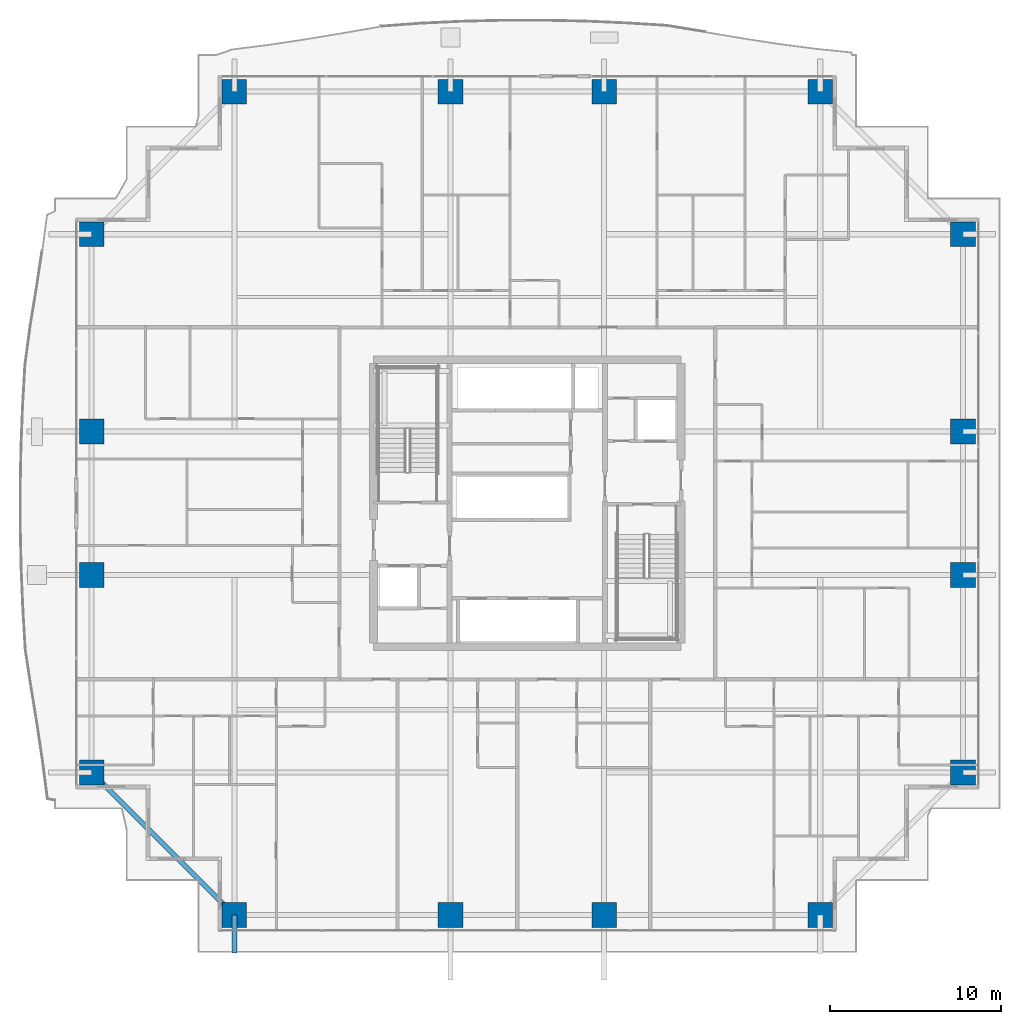
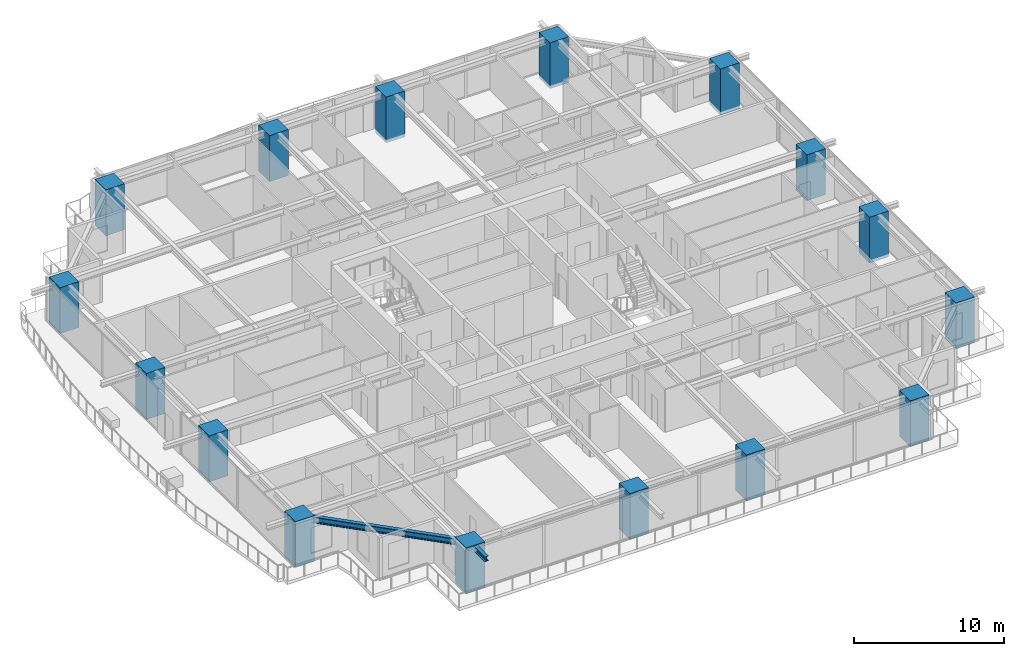
# One storey, part 1 of 35: 16 columns, 2 beams.
"""IFC4 building model written with IfcOpenShell, lengths in metres."""

from ifc_helpers import new_model, si_unit, direction, frame, origin, origin_2d, place, context, subcontext, project, spatial, rectangle, i_section, extrude, source, transform, mapped, material, material_profile, profile_set, type_object, element, save


model = new_model("IFC4")

# Units and contexts
model_context = context("Model", 3, precision=1e-05, world=origin(), true_north=direction((0.0, 1.0)))
body_context = subcontext(model_context, "Body", "Model", "MODEL_VIEW")
ifc_project = project(units=[si_unit("LENGTHUNIT", "METRE"), si_unit("AREAUNIT", "SQUARE_METRE"), si_unit("VOLUMEUNIT", "CUBIC_METRE"), si_unit("PLANEANGLEUNIT", "RADIAN"), si_unit("MASSUNIT", "GRAM", prefix="KILO")], contexts=[model_context])

# Site, building, storey
site_placement = place(None, origin())
site = spatial("IfcSite", under=ifc_project, at=site_placement, CompositionType="ELEMENT")
building_placement = place(site_placement, origin())
building = spatial("IfcBuilding", under=site, at=building_placement, Name="Serunith Strait Residences", CompositionType="ELEMENT")
storey_placement = place(building_placement, frame((0.0, 0.0, 56.699951171875)))
storey = spatial("IfcBuildingStorey", under=building, at=storey_placement, Name="L13", CompositionType="ELEMENT", Elevation=56.699951171875)

# Columns
ifc_material_1 = material(Name="Concrete C90/105", Category="concrete")
ifc_material_profile_1 = material_profile(ifc_material_1, rectangle(XDim=1.449951171875, YDim=1.449951171875, at=origin_2d()), Name="RC 1450x1450")
ifc_profile_set_1 = profile_set([ifc_material_profile_1], Name="Concrete C90/105")
column_type = type_object("IfcColumnType", Name="COL-RC-1450", PredefinedType="COLUMN", material=ifc_profile_set_1)
shared_shape_1 = source(origin(), body_context, "Body", "SweptSolid", [
    extrude(rectangle(XDim=1.449951171875, YDim=1.449951171875, at=origin_2d()), origin(), (0.0, 0.0, 1.0), 3.75),
])
for number, where, z_axis, x_axis, name in (
    (1, (15.25, 1.10009765625, -0.260009765625), (0.0, 0.0, 1.0), (1.0, 0.0, 0.0), "L13 Tower Mega-Column TC-S1"),
    (2, (27.89990234375, 1.10009765625, -0.260009765625), (0.0, 0.0, 1.0), (1.0, 0.0, 0.0), "L13 Tower Mega-Column TC-S2"),
    (3, (36.89990234375, 1.10009765625, -0.260009765625), (0.0, 0.0, 1.0), (1.0, 0.0, 0.0), "L13 Tower Mega-Column TC-S3"),
    (4, (49.550048828125, 1.10009765625, -0.260009765625), (0.0, 0.0, 1.0), (1.0, 0.0, 0.0), "L13 Tower Mega-Column TC-S4"),
    (5, (15.25, 49.300048828125, -0.260009765625), (0.0, 0.0, 1.0), (1.0, 0.0, 0.0), "L13 Tower Mega-Column TC-N1"),
    (6, (27.89990234375, 49.300048828125, -0.260009765625), (0.0, 0.0, 1.0), (1.0, 0.0, 0.0), "L13 Tower Mega-Column TC-N2"),
    (7, (36.89990234375, 49.300048828125, -0.260009765625), (0.0, 0.0, 1.0), (1.0, 0.0, 0.0), "L13 Tower Mega-Column TC-N3"),
    (8, (49.550048828125, 49.300048828125, -0.260009765625), (0.0, 0.0, 1.0), (1.0, 0.0, 0.0), "L13 Tower Mega-Column TC-N4"),
    (9, (57.89990234375, 9.449951171875, -0.260009765625), (0.0, 0.0, 1.0), (1.0, 0.0, 0.0), "L13 Tower Mega-Column TC-E1"),
    (10, (57.89990234375, 21.0, -0.260009765625), (0.0, 0.0, 1.0), (1.0, 0.0, 0.0), "L13 Tower Mega-Column TC-E2"),
    (11, (57.89990234375, 29.39990234375, -0.260009765625), (0.0, 0.0, 1.0), (1.0, 0.0, 0.0), "L13 Tower Mega-Column TC-E3"),
    (12, (57.89990234375, 40.949951171875, -0.260009765625), (0.0, 0.0, 1.0), (1.0, 0.0, 0.0), "L13 Tower Mega-Column TC-E4"),
    (13, (6.89990234375, 9.449951171875, -0.260009765625), (0.0, 0.0, 1.0), (1.0, 0.0, 0.0), "L13 Tower Mega-Column TC-W1"),
    (14, (6.89990234375, 21.0, -0.260009765625), (0.0, 0.0, 1.0), (1.0, 0.0, 0.0), "L13 Tower Mega-Column TC-W2"),
    (15, (6.89990234375, 29.39990234375, -0.260009765625), (0.0, 0.0, 1.0), (1.0, 0.0, 0.0), "L13 Tower Mega-Column TC-W3"),
    (16, (6.89990234375, 40.949951171875, -0.260009765625), (0.0, 0.0, 1.0), (1.0, 0.0, 0.0), "L13 Tower Mega-Column TC-W4"),
):
    element("IfcColumn", number, at=place(storey_placement, frame(where, z_axis=z_axis, x_axis=x_axis)), inside=storey, type_object=column_type, Name=name, PredefinedType="COLUMN", context=body_context, shape_type="MappedRepresentation", body=[
        mapped(shared_shape_1, transform((0.0, 0.0, 0.0), scale=1.0)),
    ])

# Beams
ifc_material_2 = material(Name="Steel S355J2", Category="steel")
ifc_material_profile_2 = material_profile(ifc_material_2, i_section(OverallWidth=0.300048828125, OverallDepth=0.5, WebThickness=0.014404296875, FlangeThickness=0.028076171875, FilletRadius=0.027099609375, at=origin_2d()), Name="HEB 500")
ifc_profile_set_2 = profile_set([ifc_material_profile_2], Name="Steel S355J2")
beam_type_1 = type_object("IfcBeamType", Name="BM-HEB500", PredefinedType="BEAM", material=ifc_profile_set_2)
shared_shape_2 = source(origin(), body_context, "Body", "SweptSolid", [
    extrude(i_section(OverallWidth=0.300048828125, OverallDepth=0.5, WebThickness=0.014404296875, FlangeThickness=0.028076171875, FilletRadius=0.027099609375, at=origin_2d()), origin(), (0.0, 0.0, 1.0), 11.80859375),
])
beam_1_placement = place(storey_placement, frame((6.89990234375, 9.449951171875, 3.20703125), z_axis=(0.707117118476, -0.707096443746, 0.0), x_axis=(0.707096443746, 0.707117118476, 0.0)))
element("IfcBeam", 17, at=beam_1_placement, inside=storey, type_object=beam_type_1, Name="L13 Perimeter Ring Beam 16", PredefinedType="BEAM", context=body_context, shape_type="MappedRepresentation", body=[
    mapped(shared_shape_2, transform((0.0, 0.0, 0.0), scale=1.0)),
])
ifc_material_profile_3 = material_profile(ifc_material_2, i_section(OverallWidth=0.300048828125, OverallDepth=0.39990234375, WebThickness=0.013427734375, FlangeThickness=0.02392578125, FilletRadius=0.027099609375, at=origin_2d()), Name="HEB 400")
ifc_profile_set_3 = profile_set([ifc_material_profile_3], Name="Steel S355J2")
beam_type_2 = type_object("IfcBeamType", Name="BM-HEB400", PredefinedType="BEAM", material=ifc_profile_set_3)
shared_shape_3 = source(origin(), body_context, "Body", "SweptSolid", [
    extrude(i_section(OverallWidth=0.300048828125, OverallDepth=0.39990234375, WebThickness=0.013427734375, FlangeThickness=0.02392578125, FilletRadius=0.027099609375, at=origin_2d()), origin(), (0.0, 0.0, 1.0), 2.225341796875),
])
beam_2_placement = place(storey_placement, frame((15.25, 1.10009765625, 3.257080078125), z_axis=(0.0, -1.0, 0.0), x_axis=(1.0, 0.0, 0.0)))
element("IfcBeam", 18, at=beam_2_placement, inside=storey, type_object=beam_type_2, Name="L14 Cantilevered Balcony Rib TC-S1", PredefinedType="BEAM", context=body_context, shape_type="MappedRepresentation", body=[
    mapped(shared_shape_3, transform((0.0, 0.0, 0.0), scale=1.0)),
])

save(model, "model.ifc")
